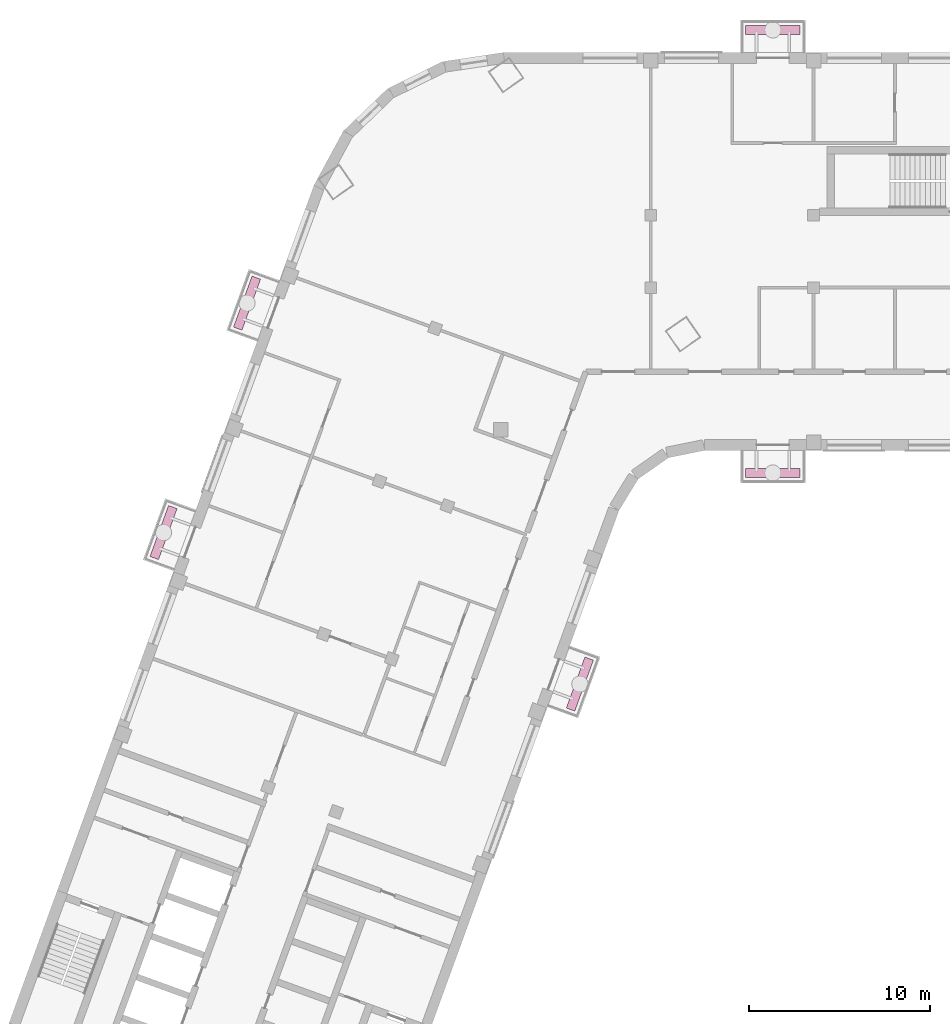
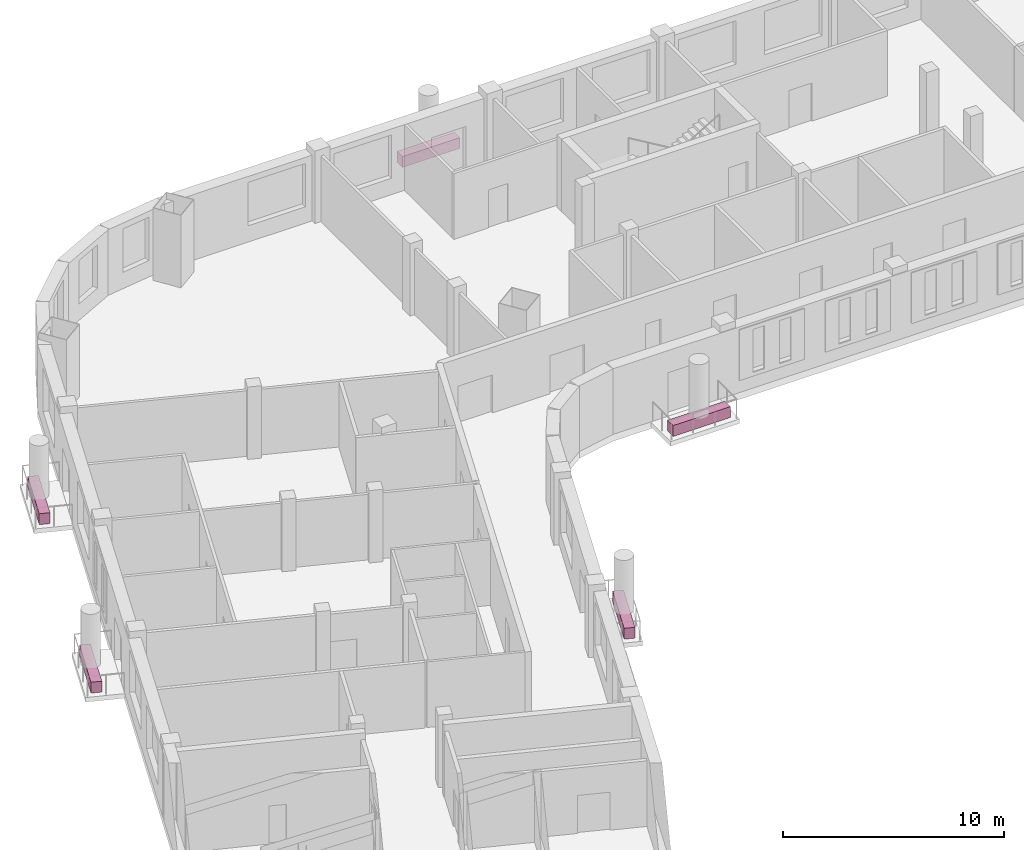
# One storey, part 9 of 10: 5 furniture elements.
"""IFC4 building model written with IfcOpenShell, lengths in metres."""

from ifc_helpers import new_model, si_unit, direction, frame, origin, origin_2d, place, context, subcontext, project, spatial, rectangle, extrude, element, save


model = new_model("IFC4")

# Units and contexts
model_context = context("Model", 3, precision=1e-05, world=origin(), true_north=direction((0.0, 1.0)))
body_context = subcontext(model_context, "Body", "Model", "MODEL_VIEW")
ifc_project = project(units=[si_unit("LENGTHUNIT", "METRE"), si_unit("AREAUNIT", "SQUARE_METRE"), si_unit("VOLUMEUNIT", "CUBIC_METRE"), si_unit("PLANEANGLEUNIT", "RADIAN"), si_unit("MASSUNIT", "GRAM", prefix="KILO")], contexts=[model_context])

# Site, building, storey
site_placement = place(None, origin())
site = spatial("IfcSite", under=ifc_project, at=site_placement, CompositionType="ELEMENT")
building_placement = place(site_placement, origin())
building = spatial("IfcBuilding", under=site, at=building_placement, Name="Skarvind Civic Tower", CompositionType="ELEMENT")
storey_placement = place(building_placement, frame((0.0, 0.0, 178.5)))
storey = spatial("IfcBuildingStorey", under=building, at=storey_placement, Name="L42", CompositionType="ELEMENT", Elevation=178.5)

# Furniture
for number, where, z_axis, x_axis, name in (
    (1, (50.328857421875, 104.07666015625, 0.0), (0.0, 0.0, 1.0), (-0.342020143326, -0.939692620786, 0.0), "TREE BALCONY PLANTER"),
    (2, (61.0, 115.75, 0.0), (0.0, 0.0, 1.0), (-1.0, 0.0, 0.0), "TREE BALCONY PLANTER"),
    (3, (61.0, 140.25, 0.0), (0.0, 0.0, 1.0), (1.0, 0.0, 0.0), "TREE BALCONY PLANTER"),
    (4, (27.306396484375, 112.456298828125, 0.0), (0.0, 0.0, 1.0), (0.342020143326, 0.939692620786, 0.0), "TREE BALCONY PLANTER"),
    (5, (31.923583984375, 125.14208984375, 0.0), (0.0, 0.0, 1.0), (0.342020143326, 0.939692620786, 0.0), "TREE BALCONY PLANTER"),
):
    element("IfcFurniture", number, at=place(storey_placement, frame(where, z_axis=z_axis, x_axis=x_axis)), inside=storey, Name=name, ObjectType="PLANTER", PredefinedType="USERDEFINED", context=body_context, shape_type="SweptSolid", body=[
        extrude(rectangle(XDim=3.0, YDim=0.5, at=origin_2d()), origin(), (0.0, 0.0, 1.0), 0.60009765625),
    ])

save(model, "model.ifc")
